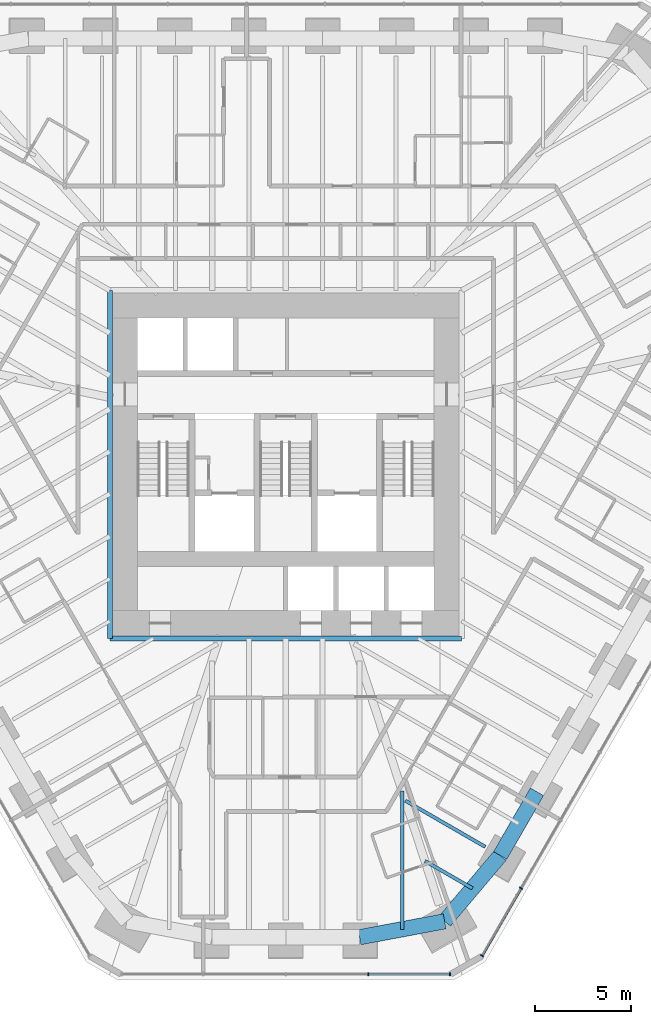
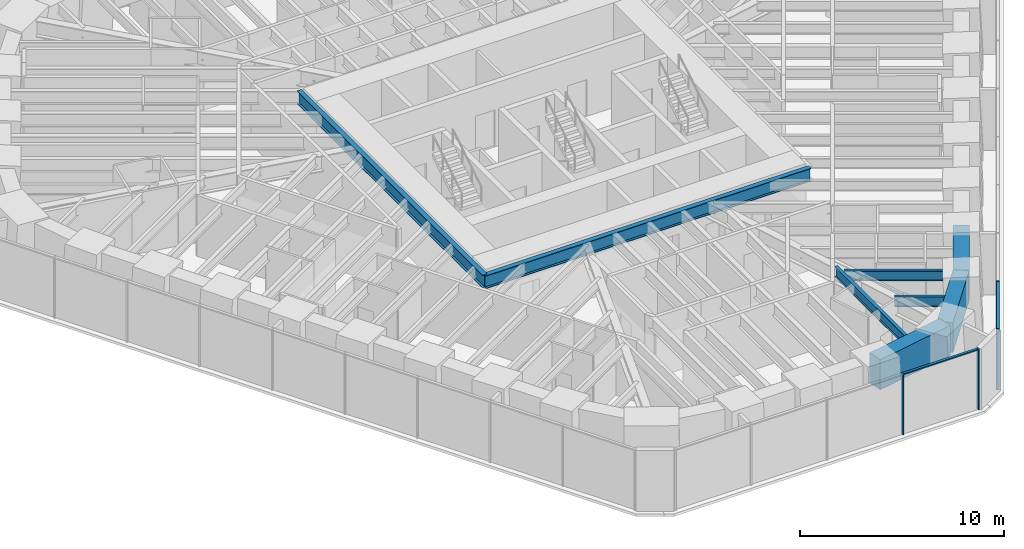
# One storey, part 4 of 18: 8 beams, 6 members, 2 elements without a shape of their own.
"""IFC4 building model written with IfcOpenShell, lengths in metres."""

from ifc_helpers import new_model, si_unit, direction, frame, origin, origin_2d, place, context, subcontext, project, spatial, rectangle, i_section, extrude, material, material_profile, profile_set, type_object, element, aggregate, save


model = new_model("IFC4")

# Units and contexts
model_context = context("Model", 3, precision=1e-05, world=origin(), true_north=direction((0.0, 1.0)))
body_context = subcontext(model_context, "Body", "Model", "MODEL_VIEW")
ifc_project = project(units=[si_unit("LENGTHUNIT", "METRE"), si_unit("AREAUNIT", "SQUARE_METRE"), si_unit("VOLUMEUNIT", "CUBIC_METRE"), si_unit("PLANEANGLEUNIT", "RADIAN"), si_unit("MASSUNIT", "GRAM", prefix="KILO")], contexts=[model_context])

# Site, building, storey
site_placement = place(None, origin())
site = spatial("IfcSite", under=ifc_project, at=site_placement, CompositionType="ELEMENT")
building_placement = place(site_placement, origin())
building = spatial("IfcBuilding", under=site, at=building_placement, Name="Sandreach Pilgrim Tower", CompositionType="ELEMENT")
storey_placement = place(building_placement, frame((0.0, 0.0, 157.60009765625)))
storey = spatial("IfcBuildingStorey", under=building, at=storey_placement, Name="L39", CompositionType="ELEMENT", Elevation=157.60009765625)

# Curtain wall, members
ifc_material_1 = material(Name="Aluminium framed curtain wall", Category="aluminium")
curtain_wall_type = type_object("IfcCurtainWallType", Name="Hotel tower curtain wall", PredefinedType="NOTDEFINED", material=ifc_material_1)
curtain_wall_1_placement = place(storey_placement, origin())
curtain_wall_1 = element("IfcCurtainWall", 1, at=curtain_wall_1_placement, inside=storey, type_object=curtain_wall_type, Name="CW-2 L39 SE", PredefinedType="NOTDEFINED")
ifc_material_2 = material(Name="Aluminium extrusion", Category="aluminium")
ifc_material_profile_1 = material_profile(ifc_material_2, rectangle(XDim=0.06494140625, YDim=0.179931640625, at=origin_2d()), Name="CW-2M 65X180")
ifc_profile_set_1 = profile_set([ifc_material_profile_1], Name="Aluminium extrusion")
member_type_1 = type_object("IfcMemberType", Name="CW-2 mullion", PredefinedType="MULLION", material=ifc_profile_set_1)
member_1_placement = place(storey_placement, frame((12.29296875, -23.695556640625, 0.0), z_axis=(0.0, 0.0, 1.0), x_axis=(-0.5, -0.866025403784, 0.0)))
member_1 = element("IfcMember", 2, at=member_1_placement, type_object=member_type_1, Name="CW-2 mullion 9", PredefinedType="MULLION", context=body_context, shape_type="SweptSolid", body=[
    extrude(rectangle(XDim=0.06494140625, YDim=0.179931640625, at=origin_2d()), origin(), (0.0, 0.0, 1.0), 3.639892578125),
])
member_2_placement = place(storey_placement, frame((10.255859375, -27.22412109375, 0.0), z_axis=(0.0, 0.0, 1.0), x_axis=(-0.5, -0.866025403784, 0.0)))
member_2 = element("IfcMember", 3, at=member_2_placement, type_object=member_type_1, Name="CW-2 mullion 10", PredefinedType="MULLION", context=body_context, shape_type="SweptSolid", body=[
    extrude(rectangle(XDim=0.06494140625, YDim=0.179931640625, at=origin_2d()), origin(), (0.0, 0.0, 1.0), 3.639892578125),
])

curtain_wall_2_placement = place(storey_placement, origin())
curtain_wall_2 = element("IfcCurtainWall", 4, at=curtain_wall_2_placement, inside=storey, type_object=curtain_wall_type, Name="CW-2 L39 S", PredefinedType="NOTDEFINED")
member_3_placement = place(storey_placement, frame((8.578857421875, -28.192138671875, 0.0), z_axis=(0.0, 0.0, 1.0), x_axis=(-1.0, 0.0, 0.0)))
member_3 = element("IfcMember", 5, at=member_3_placement, type_object=member_type_1, Name="CW-2 mullion 1", PredefinedType="MULLION", context=body_context, shape_type="SweptSolid", body=[
    extrude(rectangle(XDim=0.06494140625, YDim=0.179931640625, at=origin_2d()), origin(), (0.0, 0.0, 1.0), 3.639892578125),
])
member_4_placement = place(storey_placement, frame((4.3056640625, -28.192138671875, 0.0), z_axis=(0.0, 0.0, 1.0), x_axis=(-1.0, 0.0, 0.0)))
member_4 = element("IfcMember", 6, at=member_4_placement, type_object=member_type_1, Name="CW-2 mullion 2", PredefinedType="MULLION", context=body_context, shape_type="SweptSolid", body=[
    extrude(rectangle(XDim=0.06494140625, YDim=0.179931640625, at=origin_2d()), origin(), (0.0, 0.0, 1.0), 3.639892578125),
])

# Member
ifc_material_3 = material(Name="Aluminium extrusion", Category="aluminium")
ifc_material_profile_2 = material_profile(ifc_material_3, rectangle(XDim=0.139892578125, YDim=0.070068359375, at=origin_2d()), Name="CW-2T 140X70")
ifc_profile_set_2 = profile_set([ifc_material_profile_2], Name="Aluminium extrusion")
member_type_2 = type_object("IfcMemberType", Name="CW-2 transom", PredefinedType="USERDEFINED", material=ifc_profile_set_2)
member_5_placement = place(storey_placement, frame((12.27685546875, -23.7236328125, 3.60498046875), z_axis=(-0.500015851672, -0.866016251624, 0.0), x_axis=(0.866016251624, -0.500015851672, 0.0)))
member_5 = element("IfcMember", 7, at=member_5_placement, type_object=member_type_2, Name="CW-2 head transom 9", ObjectType="TRANSOM", PredefinedType="USERDEFINED", context=body_context, shape_type="SweptSolid", body=[
    extrude(rectangle(XDim=0.139892578125, YDim=0.070068359375, at=origin_2d()), origin(), (0.0, 0.0, 1.0), 4.009521484375),
])

aggregate(curtain_wall_1, [member_1, member_2, member_5])

member_6_placement = place(storey_placement, frame((8.54638671875, -28.192138671875, 3.60498046875), z_axis=(-1.0, 0.0, 0.0), x_axis=(0.0, -1.0, 0.0)))
member_6 = element("IfcMember", 8, at=member_6_placement, type_object=member_type_2, Name="CW-2 head transom 1", ObjectType="TRANSOM", PredefinedType="USERDEFINED", context=body_context, shape_type="SweptSolid", body=[
    extrude(rectangle(XDim=0.139892578125, YDim=0.070068359375, at=origin_2d()), origin(), (0.0, 0.0, 1.0), 4.208251953125),
])

aggregate(curtain_wall_2, [member_3, member_4, member_6])

# Beams
ifc_material_4 = material(Name="Steel ASTM A992 Grade 50", Category="steel")
ifc_material_profile_3 = material_profile(ifc_material_4, i_section(OverallWidth=0.2666015625, OverallDepth=0.77978515625, WebThickness=0.0166015625, FlangeThickness=0.030029296875, at=origin_2d()), Name="W30X148")
ifc_profile_set_3 = profile_set([ifc_material_profile_3], Name="Steel ASTM A992 Grade 50")
beam_type_1 = type_object("IfcBeamType", Name="Core edge beam W30X148", PredefinedType="BEAM", material=ifc_profile_set_3)
beam_1_placement = place(storey_placement, frame((9.193359375, -10.643310546875, 3.25), z_axis=(-1.0, 0.0, 0.0), x_axis=(0.0, -1.0, 0.0)))
element("IfcBeam", 9, at=beam_1_placement, inside=storey, type_object=beam_type_1, Name="BM L39 CES", PredefinedType="BEAM", context=body_context, shape_type="SweptSolid", body=[
    extrude(i_section(OverallWidth=0.2666015625, OverallDepth=0.77978515625, WebThickness=0.0166015625, FlangeThickness=0.030029296875, at=origin_2d()), origin(), (0.0, 0.0, 1.0), 18.38671875),
])
beam_2_placement = place(storey_placement, frame((-9.193359375, -10.643310546875, 3.25), z_axis=(0.0, 1.0, 0.0), x_axis=(-1.0, 0.0, 0.0)))
element("IfcBeam", 10, at=beam_2_placement, inside=storey, type_object=beam_type_1, Name="BM L39 CEW", PredefinedType="BEAM", context=body_context, shape_type="SweptSolid", body=[
    extrude(i_section(OverallWidth=0.2666015625, OverallDepth=0.77978515625, WebThickness=0.0166015625, FlangeThickness=0.030029296875, at=origin_2d()), origin(), (0.0, 0.0, 1.0), 18.186767578125),
])
ifc_material_5 = material(Name="Steel ASTM A992 Grade 50", Category="steel")
ifc_material_profile_4 = material_profile(ifc_material_5, i_section(OverallWidth=0.1787109375, OverallDepth=0.60205078125, WebThickness=0.010986328125, FlangeThickness=0.014892578125, at=origin_2d()), Name="W24X62")
ifc_profile_set_4 = profile_set([ifc_material_profile_4], Name="Steel ASTM A992 Grade 50")
beam_type_2 = type_object("IfcBeamType", Name="Floor beam W24X62", PredefinedType="BEAM", material=ifc_profile_set_4)
beam_3_placement = place(storey_placement, frame((10.4228515625, -21.536376953125, 3.3388671875), z_axis=(-0.866037360815, 0.499979289244, 0.0), x_axis=(-0.499979289244, -0.866037360815, 0.0)))
element("IfcBeam", 11, at=beam_3_placement, inside=storey, type_object=beam_type_2, Name="BM L39 F21", PredefinedType="BEAM", context=body_context, shape_type="SweptSolid", body=[
    extrude(i_section(OverallWidth=0.1787109375, OverallDepth=0.60205078125, WebThickness=0.010986328125, FlangeThickness=0.014892578125, at=origin_2d()), origin(), (0.0, 0.0, 1.0), 4.827392578125),
])
beam_4_placement = place(storey_placement, frame((9.7509765625, -23.706298828125, 3.3388671875), z_axis=(-0.866052132345, 0.499953701917, 0.0), x_axis=(-0.499953701917, -0.866052132345, 0.0)))
element("IfcBeam", 12, at=beam_4_placement, inside=storey, type_object=beam_type_2, Name="BM L39 FM21", PredefinedType="BEAM", context=body_context, shape_type="SweptSolid", body=[
    extrude(i_section(OverallWidth=0.1787109375, OverallDepth=0.60205078125, WebThickness=0.010986328125, FlangeThickness=0.014892578125, at=origin_2d()), origin(), (0.0, 0.0, 1.0), 2.863525390625),
])
beam_5_placement = place(storey_placement, frame((6.078125, -25.84228515625, 3.3388671875), z_axis=(0.0, 1.0, 0.0), x_axis=(-1.0, 0.0, 0.0)))
element("IfcBeam", 13, at=beam_5_placement, inside=storey, type_object=beam_type_2, Name="BM L39 FM22", PredefinedType="BEAM", context=body_context, shape_type="SweptSolid", body=[
    extrude(i_section(OverallWidth=0.1787109375, OverallDepth=0.60205078125, WebThickness=0.010986328125, FlangeThickness=0.014892578125, at=origin_2d()), origin(), (0.0, 0.0, 1.0), 7.222412109375),
])
ifc_material_6 = material(Name="Concrete 10000 psi", Category="concrete")
ifc_material_profile_5 = material_profile(ifc_material_6, rectangle(XDim=0.800048828125, YDim=1.800048828125, at=origin_2d()), Name="RC800X1800")
ifc_profile_set_5 = profile_set([ifc_material_profile_5], Name="Concrete 10000 psi")
beam_type_3 = type_object("IfcBeamType", Name="Spandrel beam RC800X1800", PredefinedType="SPANDREL", material=ifc_profile_set_5)
beam_6_placement = place(storey_placement, frame((13.1220703125, -18.660888671875, 2.739990234375), z_axis=(-0.499995802899, -0.866027826969, 0.0), x_axis=(0.866027826969, -0.499995802899, 0.0)))
element("IfcBeam", 14, at=beam_6_placement, inside=storey, type_object=beam_type_3, Name="BM L39 SP20", PredefinedType="SPANDREL", context=body_context, shape_type="SweptSolid", body=[
    extrude(rectangle(XDim=0.800048828125, YDim=1.800048828125, at=origin_2d()), origin(), (0.0, 0.0, 1.0), 3.83984375),
])
beam_7_placement = place(storey_placement, frame((11.2021484375, -21.986328125, 2.739990234375), z_axis=(-0.64485707631, -0.764303180115, 0.0), x_axis=(0.764303180115, -0.64485707631, 0.0)))
element("IfcBeam", 15, at=beam_7_placement, inside=storey, type_object=beam_type_3, Name="BM L39 SP21", PredefinedType="SPANDREL", context=body_context, shape_type="SweptSolid", body=[
    extrude(rectangle(XDim=0.800048828125, YDim=1.800048828125, at=origin_2d()), origin(), (0.0, 0.0, 1.0), 4.500732421875),
])
beam_8_placement = place(storey_placement, frame((8.2998046875, -25.42626953125, 2.739990234375), z_axis=(-0.982918008555, -0.184043985119, 0.0), x_axis=(0.184043985119, -0.982918008555, 0.0)))
element("IfcBeam", 16, at=beam_8_placement, inside=storey, type_object=beam_type_3, Name="BM L39 SP22", PredefinedType="SPANDREL", context=body_context, shape_type="SweptSolid", body=[
    extrude(rectangle(XDim=0.800048828125, YDim=1.800048828125, at=origin_2d()), origin(), (0.0, 0.0, 1.0), 4.520751953125),
])

save(model, "model.ifc")
